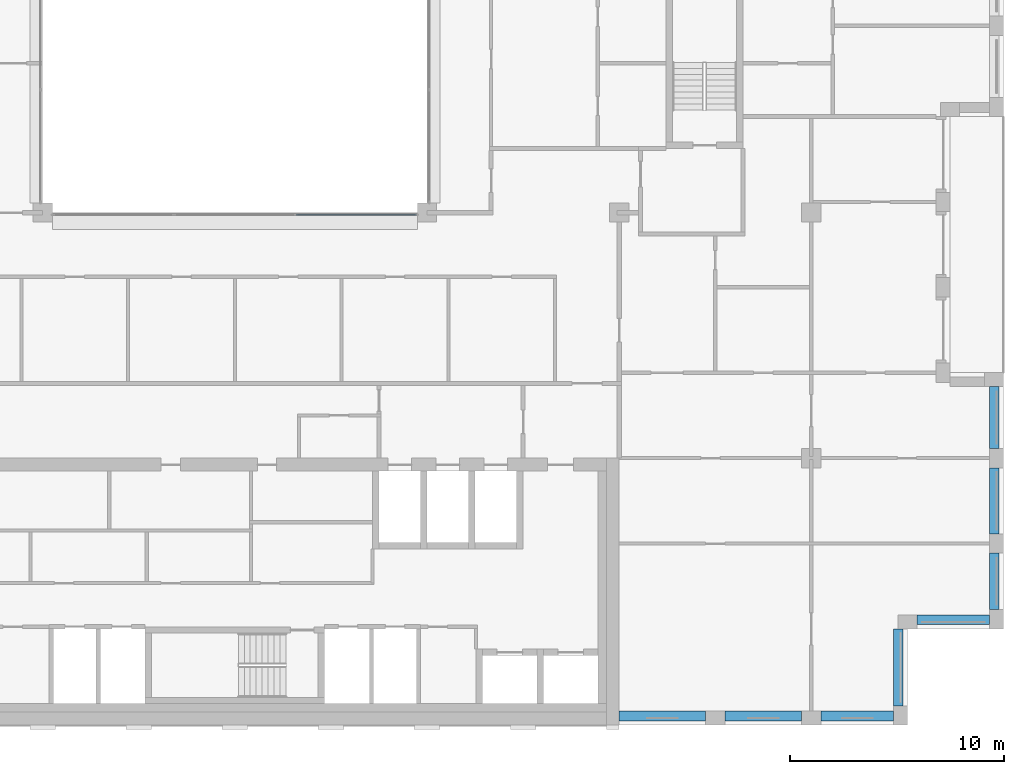
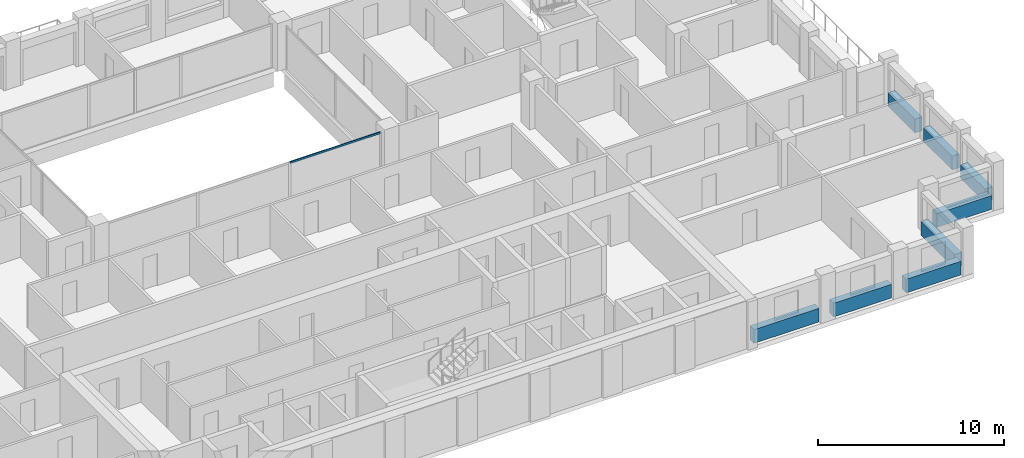
# One storey, part 3 of 15: 8 beams, 1 member, 1 element without a shape of its own.
"""IFC4 building model written with IfcOpenShell, lengths in metres."""

from ifc_helpers import new_model, si_unit, direction, frame, origin, origin_2d, place, context, subcontext, project, spatial, rectangle, extrude, material, layer, layer_set, material_profile, profile_set, type_object, element, aggregate, save


model = new_model("IFC4")

# Units and contexts
model_context = context("Model", 3, precision=1e-05, world=origin(), true_north=direction((0.0, 1.0)))
body_context = subcontext(model_context, "Body", "Model", "MODEL_VIEW")
ifc_project = project(units=[si_unit("LENGTHUNIT", "METRE"), si_unit("AREAUNIT", "SQUARE_METRE"), si_unit("VOLUMEUNIT", "CUBIC_METRE"), si_unit("PLANEANGLEUNIT", "RADIAN"), si_unit("MASSUNIT", "GRAM", prefix="KILO")], contexts=[model_context])

# Site, building, storey
site_placement = place(None, origin())
site = spatial("IfcSite", under=ifc_project, at=site_placement, CompositionType="ELEMENT")
building_placement = place(site_placement, origin())
building = spatial("IfcBuilding", under=site, at=building_placement, Name="Brigalow Station Residences", CompositionType="ELEMENT")
storey_placement = place(building_placement, frame((0.0, 0.0, 213.75)))
storey = spatial("IfcBuildingStorey", under=building, at=storey_placement, Name="L61", CompositionType="ELEMENT", Elevation=213.75)

# Curtain wall, member
ifc_material_1 = material(Name="Aluminium", Category="aluminium")
ifc_layer = layer(ifc_material_1, 0.14990234375)
ifc_layer_set = layer_set([ifc_layer], Name="ATRIUM FIRE-RATED GLAZING CURTAIN WALL")
curtain_wall_type = type_object("IfcCurtainWallType", Name="ATRIUM FIRE-RATED GLAZING CURTAIN WALL", PredefinedType="NOTDEFINED", material=ifc_layer_set)
curtain_wall_placement = place(storey_placement, origin())
curtain_wall = element("IfcCurtainWall", 1, at=curtain_wall_placement, inside=storey, type_object=curtain_wall_type, Name="L61/cw/atrium-S", PredefinedType="NOTDEFINED")
ifc_material_2 = material(Name="Aluminium", Category="aluminium")
ifc_material_profile_1 = material_profile(ifc_material_2, rectangle(XDim=0.06005859375, YDim=0.1201171875, at=origin_2d()), Name="ATRIUM FIRE-RATED GLAZING TRANSOM 60x120")
ifc_profile_set_1 = profile_set([ifc_material_profile_1], Name="Aluminium")
member_type = type_object("IfcMemberType", Name="ATRIUM FIRE-RATED GLAZING TRANSOM 60x120", PredefinedType="USERDEFINED", material=ifc_profile_set_1)
member_placement = place(storey_placement, frame((38.8798828125, 23.89990234375, 2.800048828125), z_axis=(1.0, 0.0, 0.0), x_axis=(0.0, 1.0, 0.0)))
member = element("IfcMember", 2, at=member_placement, type_object=member_type, Name="L61/cw/atrium-S/T02-00", ObjectType="TRANSOM", PredefinedType="USERDEFINED", context=body_context, shape_type="SweptSolid", body=[
    extrude(rectangle(XDim=0.06005859375, YDim=0.1201171875, at=origin_2d()), origin(), (0.0, 0.0, 1.0), 5.610107421875),
])
aggregate(curtain_wall, [member])

# Beams
ifc_material_3 = material(Name="Concrete C50", Category="concrete")
ifc_material_profile_2 = material_profile(ifc_material_3, rectangle(XDim=0.449951171875, YDim=0.89990234375, at=origin_2d()), Name="RC450x900")
ifc_profile_set_2 = profile_set([ifc_material_profile_2], Name="Concrete C50")
beam_type = type_object("IfcBeamType", Name="SPANDREL BEAM 450x900 C50", PredefinedType="SPANDREL", material=ifc_profile_set_2)
beam_1_placement = place(storey_placement, frame((54.0, 0.425048828125, 0.449951171875), z_axis=(1.0, 0.0, 0.0), x_axis=(0.0, 1.0, 0.0)))
element("IfcBeam", 3, at=beam_1_placement, inside=storey, type_object=beam_type, Name="L61/spandrel/W-L61-3", PredefinedType="SPANDREL", context=body_context, shape_type="SweptSolid", body=[
    extrude(rectangle(XDim=0.449951171875, YDim=0.89990234375, at=origin_2d()), origin(), (0.0, 0.0, 1.0), 4.050048828125),
])
beam_2_placement = place(storey_placement, frame((58.949951171875, 0.425048828125, 0.449951171875), z_axis=(1.0, 0.0, 0.0), x_axis=(0.0, 1.0, 0.0)))
element("IfcBeam", 4, at=beam_2_placement, inside=storey, type_object=beam_type, Name="L61/spandrel/W-L61-4", PredefinedType="SPANDREL", context=body_context, shape_type="SweptSolid", body=[
    extrude(rectangle(XDim=0.449951171875, YDim=0.89990234375, at=origin_2d()), origin(), (0.0, 0.0, 1.0), 3.60009765625),
])
beam_3_placement = place(storey_placement, frame((63.449951171875, 0.425048828125, 0.449951171875), z_axis=(1.0, 0.0, 0.0), x_axis=(0.0, 1.0, 0.0)))
element("IfcBeam", 5, at=beam_3_placement, inside=storey, type_object=beam_type, Name="L61/spandrel/W-L61-5", PredefinedType="SPANDREL", context=body_context, shape_type="SweptSolid", body=[
    extrude(rectangle(XDim=0.449951171875, YDim=0.89990234375, at=origin_2d()), origin(), (0.0, 0.0, 1.0), 3.400146484375),
])
beam_4_placement = place(storey_placement, frame((67.074951171875, 0.89990234375, 0.449951171875), z_axis=(0.0, 1.0, 0.0), x_axis=(-1.0, 0.0, 0.0)))
element("IfcBeam", 6, at=beam_4_placement, inside=storey, type_object=beam_type, Name="L61/spandrel/W-L61-6", PredefinedType="SPANDREL", context=body_context, shape_type="SweptSolid", body=[
    extrude(rectangle(XDim=0.449951171875, YDim=0.89990234375, at=origin_2d()), origin(), (0.0, 0.0, 1.0), 3.60009765625),
])
beam_5_placement = place(storey_placement, frame((67.949951171875, 4.925048828125, 0.449951171875), z_axis=(1.0, 0.0, 0.0), x_axis=(0.0, 1.0, 0.0)))
element("IfcBeam", 7, at=beam_5_placement, inside=storey, type_object=beam_type, Name="L61/spandrel/W-L61-7", PredefinedType="SPANDREL", context=body_context, shape_type="SweptSolid", body=[
    extrude(rectangle(XDim=0.449951171875, YDim=0.89990234375, at=origin_2d()), origin(), (0.0, 0.0, 1.0), 3.400146484375),
])
beam_6_placement = place(storey_placement, frame((71.574951171875, 5.39990234375, 0.449951171875), z_axis=(0.0, 1.0, 0.0), x_axis=(-1.0, 0.0, 0.0)))
element("IfcBeam", 8, at=beam_6_placement, inside=storey, type_object=beam_type, Name="L61/spandrel/W-L61-8", PredefinedType="SPANDREL", context=body_context, shape_type="SweptSolid", body=[
    extrude(rectangle(XDim=0.449951171875, YDim=0.89990234375, at=origin_2d()), origin(), (0.0, 0.0, 1.0), 2.650146484375),
])
beam_7_placement = place(storey_placement, frame((71.574951171875, 8.949951171875, 0.449951171875), z_axis=(0.0, 1.0, 0.0), x_axis=(-1.0, 0.0, 0.0)))
element("IfcBeam", 9, at=beam_7_placement, inside=storey, type_object=beam_type, Name="L61/spandrel/W-L61-9", PredefinedType="SPANDREL", context=body_context, shape_type="SweptSolid", body=[
    extrude(rectangle(XDim=0.449951171875, YDim=0.89990234375, at=origin_2d()), origin(), (0.0, 0.0, 1.0), 3.10009765625),
])
beam_8_placement = place(storey_placement, frame((71.574951171875, 12.949951171875, 0.449951171875), z_axis=(0.0, 1.0, 0.0), x_axis=(-1.0, 0.0, 0.0)))
element("IfcBeam", 10, at=beam_8_placement, inside=storey, type_object=beam_type, Name="L61/spandrel/W-L61-10", PredefinedType="SPANDREL", context=body_context, shape_type="SweptSolid", body=[
    extrude(rectangle(XDim=0.449951171875, YDim=0.89990234375, at=origin_2d()), origin(), (0.0, 0.0, 1.0), 2.900146484375),
])

save(model, "model.ifc")
